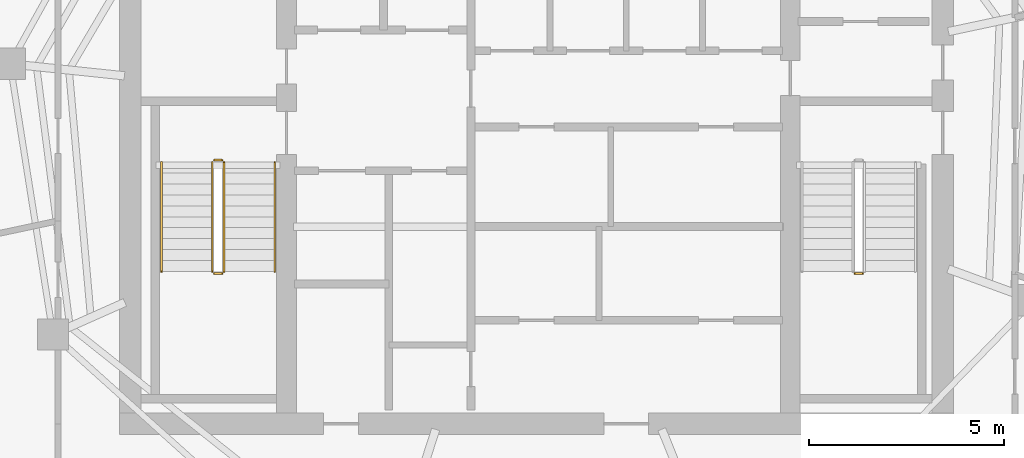
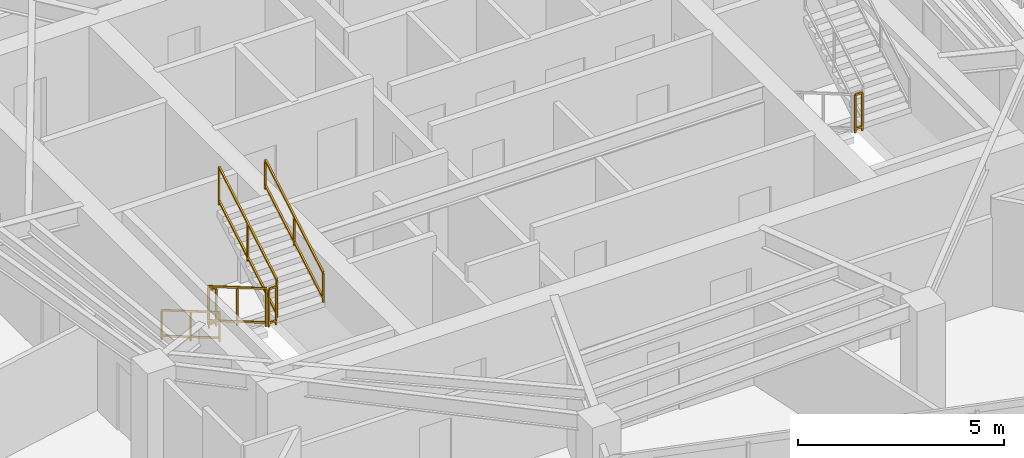
# One storey, part 17 of 19: 7 railings.
"""IFC4 building model written with IfcOpenShell, lengths in metres."""

import ifcopenshell
import ifcopenshell.guid

model = None  # the IFC model being written
_history = None  # IfcOwnerHistory: only IFC2X3 demands one
_inside = {}  # id of a spatial element -> (the spatial element, [elements in it])
_under = {}  # id of a project, library or spatial element -> (it, [spatial elements below it])
_declared = {}  # id of a project -> (the project, [libraries it declares])
_typed = {}  # id of a type object -> (the type object, [elements of that type])
_made_of = {}  # id of a material, layer set ... -> (it, [elements and type objects made of it])


def new_model(schema):
    """Start an empty IFC model of exactly this schema.

    Asked for "IFC4X3", IfcOpenShell would pick the latest addendum, in which some entities
    have other attributes; the version numbers below select the first issue.
    IFC2X3 requires an IfcOwnerHistory on every rooted entity: one is made here for all.
    """
    global model, _history
    if schema == "IFC4X3":
        model = ifcopenshell.file(schema_version=(4, 3, 0, 0))
    else:
        model = ifcopenshell.file(schema=schema)
    _inside.clear()
    _under.clear()
    _declared.clear()
    _typed.clear()
    _made_of.clear()
    _history = None
    if model.schema == "IFC2X3":
        org = make("IfcOrganization", Name="unknown")
        user = make(
            "IfcPersonAndOrganization",
            ThePerson=make("IfcPerson", FamilyName="unknown"),
            TheOrganization=org,
        )
        app = make(
            "IfcApplication",
            ApplicationDeveloper=org,
            Version="unknown",
            ApplicationFullName="unknown",
            ApplicationIdentifier="unknown",
        )
        _history = make(
            "IfcOwnerHistory",
            OwningUser=user,
            OwningApplication=app,
            ChangeAction="ADDED",
            CreationDate=0,
        )
    return model


def make(cls, **values):
    """One entity of the class cls with the attributes given. An attribute that is None is left unset."""
    return model.create_entity(
        cls, **{name: value for name, value in values.items() if value is not None}
    )


def rooted(cls, **values):
    """An entity with a GlobalId (a new one), such as an element, a storey or a relation."""
    return make(cls, GlobalId=ifcopenshell.guid.new(), OwnerHistory=_history, **values)


def si_unit(unit_type, name, prefix=None):
    """IfcSIUnit, for example si_unit("LENGTHUNIT", "METRE", prefix="MILLI")."""
    return make("IfcSIUnit", UnitType=unit_type, Prefix=prefix, Name=name)


def assignment(units):
    """IfcUnitAssignment: the units of a project."""
    return None if units is None else make("IfcUnitAssignment", Units=units)


def point(xyz):
    """IfcCartesianPoint."""
    return None if xyz is None else make("IfcCartesianPoint", Coordinates=xyz)


def direction(xyz):
    """IfcDirection."""
    return None if xyz is None else make("IfcDirection", DirectionRatios=xyz)


def frame(location, z_axis=None, x_axis=None):
    """IfcAxis2Placement3D, a coordinate frame: its origin and axes. An axis left out is left unset."""
    return make(
        "IfcAxis2Placement3D",
        Location=point(location),
        Axis=direction(z_axis),
        RefDirection=direction(x_axis),
    )


def frame_2d(location, x_axis=None):
    """IfcAxis2Placement2D, a coordinate frame in the plane: its origin and x axis."""
    return make(
        "IfcAxis2Placement2D", Location=point(location), RefDirection=direction(x_axis)
    )


def origin():
    """The frame at (0, 0, 0) with its axes left unset."""
    return frame((0.0, 0.0, 0.0))


def origin_2d():
    """The frame at (0, 0) in the plane with its x axis left unset."""
    return frame_2d((0.0, 0.0))


def place(relative_to, where):
    """IfcLocalPlacement: puts the frame where relative to a parent placement (None: the world)."""
    return make(
        "IfcLocalPlacement", PlacementRelTo=relative_to, RelativePlacement=where
    )


def context(
    kind, dimensions, precision=None, world=None, true_north=None, identifier=None
):
    """IfcGeometricRepresentationContext, for example the 3D "Model" context."""
    return make(
        "IfcGeometricRepresentationContext",
        ContextIdentifier=identifier,
        ContextType=kind,
        CoordinateSpaceDimension=dimensions,
        Precision=precision,
        WorldCoordinateSystem=world,
        TrueNorth=true_north,
    )


def subcontext(parent, identifier, kind, view, scale=None):
    """IfcGeometricRepresentationSubContext, for example "Body" below "Model"."""
    return make(
        "IfcGeometricRepresentationSubContext",
        ContextIdentifier=identifier,
        ContextType=kind,
        ParentContext=parent,
        TargetScale=scale,
        TargetView=view,
    )


def project(units=None, contexts=None):
    """IfcProject with its units and contexts."""
    return rooted(
        "IfcProject",
        Name="project",
        RepresentationContexts=contexts,
        UnitsInContext=assignment(units),
    )


def spatial(cls, under=None, at=None, **own):
    """A site, building, storey or space (cls), placed at a placement, below another one or the project."""
    s = rooted(cls, ObjectPlacement=at, **own)
    if under is not None:
        _under.setdefault(under.id(), (under, []))[1].append(s)
    return s


def profile(cls, at=None, kind="AREA", **sizes):
    """A parametric profile (cls). Its sizes go by their IFC names, for example OverallWidth=200.0."""
    return make(cls, ProfileType=kind, Position=at, **sizes)


def rectangle(**sizes):
    """IfcRectangleProfileDef."""
    return profile("IfcRectangleProfileDef", **sizes)


def extrude(swept, where, along, depth):
    """IfcExtrudedAreaSolid: the profile swept, set in the frame where, extruded along a direction by depth."""
    return make(
        "IfcExtrudedAreaSolid",
        SweptArea=swept,
        Position=where,
        ExtrudedDirection=direction(along),
        Depth=depth,
    )


def shape(context_of_items, identifier, shape_type, items):
    """IfcShapeRepresentation: the items that make up one representation, for example the "Body"."""
    return make(
        "IfcShapeRepresentation",
        ContextOfItems=context_of_items,
        RepresentationIdentifier=identifier,
        RepresentationType=shape_type,
        Items=items,
    )


def material(Name=None, Category=None):
    """IfcMaterial."""
    return make("IfcMaterial", Name=Name, Category=Category)


def made_of(thing, what):
    """Note that an element or type object is made of a material, layer set ...; save() writes the relation."""
    if what is not None:
        _made_of.setdefault(what.id(), (what, []))[1].append(thing)
    return thing


def type_object(cls, material=None, **own):
    """A type object (cls), such as IfcWallType, which elements share."""
    return made_of(rooted(cls, **own), material)


def element(
    cls,
    number,
    at=None,
    inside=None,
    cuts=None,
    type_object=None,
    material=None,
    context=None,
    identifier="Body",
    shape_type=None,
    held_by="IfcProductDefinitionShape",
    body=None,
    shapes=None,
    **own,
):
    """One element of the class cls, such as IfcWall. Its Tag is "e" and its number.

    at: its placement. inside: the storey or other place that contains it. cuts: it is an
    opening in that element (IfcRelVoidsElement). A single representation is given by context,
    identifier, shape_type and body (its items); several are given by shapes. held_by: the class
    of the entity that holds the representations. save() writes the other relations.
    """
    e = rooted(cls, Tag="e%d" % number, ObjectPlacement=at, **own)
    if body is not None:
        shapes = [shape(context, identifier, shape_type, body)]
    if shapes is not None:
        e.Representation = make(held_by, Representations=shapes)
    if inside is not None:
        _inside.setdefault(inside.id(), (inside, []))[1].append(e)
    if cuts is not None:
        rooted(
            "IfcRelVoidsElement", RelatingBuildingElement=cuts, RelatedOpeningElement=e
        )
    if type_object is not None:
        _typed.setdefault(type_object.id(), (type_object, []))[1].append(e)
    return made_of(e, material)


def aggregate(whole, parts):
    """IfcRelAggregates: a whole, such as a stair, and the parts it consists of."""
    return rooted("IfcRelAggregates", RelatingObject=whole, RelatedObjects=parts)


def save(model, path):
    """Write the relations noted so far, then the file.

    IfcRelAggregates (storeys below a building ...), IfcRelContainedInSpatialStructure (elements
    in a storey), IfcRelDefinesByType, IfcRelAssociatesMaterial and IfcRelDeclares: one each for
    every whole, place, type object, material and project.
    """
    for whole, parts in _under.values():
        aggregate(whole, parts)
    for where, things in _inside.values():
        rooted(
            "IfcRelContainedInSpatialStructure",
            RelatedElements=things,
            RelatingStructure=where,
        )
    for kind, things in _typed.values():
        rooted("IfcRelDefinesByType", RelatedObjects=things, RelatingType=kind)
    for what, things in _made_of.values():
        rooted("IfcRelAssociatesMaterial", RelatedObjects=things, RelatingMaterial=what)
    for by, libraries in _declared.values():
        rooted("IfcRelDeclares", RelatingContext=by, RelatedDefinitions=libraries)
    model.write(path)


model = new_model("IFC4")

# Units and contexts
model_context = context("Model", 3, precision=1e-05, world=origin(), true_north=direction((0.0, 1.0)))
body_context = subcontext(model_context, "Body", "Model", "MODEL_VIEW")
ifc_project = project(units=[si_unit("LENGTHUNIT", "METRE"), si_unit("AREAUNIT", "SQUARE_METRE"), si_unit("VOLUMEUNIT", "CUBIC_METRE"), si_unit("PLANEANGLEUNIT", "RADIAN"), si_unit("MASSUNIT", "GRAM", prefix="KILO")], contexts=[model_context])

# Site, building, storey
site_placement = place(None, origin())
site = spatial("IfcSite", under=ifc_project, at=site_placement, CompositionType="ELEMENT")
building_placement = place(site_placement, origin())
building = spatial("IfcBuilding", under=site, at=building_placement, Name="Qarnah Convention Tower", CompositionType="ELEMENT")
storey_placement = place(building_placement, frame((0.0, 0.0, 231.89990234375)))
storey = spatial("IfcBuildingStorey", under=building, at=storey_placement, Name="L62", CompositionType="ELEMENT", Elevation=231.89990234375)

# Railings
ifc_material = material(Name="Structural steel S355JR", Category="steel")
railing_type_1 = type_object("IfcRailingType", Name="RL-STAIR-GUARD-1150", PredefinedType="GUARDRAIL", material=ifc_material)
railing_1_placement = place(storey_placement, frame((28.89990234375, 25.300048828125, 0.163818359375)))
element("IfcRailing", 1, at=railing_1_placement, inside=storey, type_object=railing_type_1, Name="L62 ST-1 stair guard 1", PredefinedType="GUARDRAIL", context=body_context, shape_type="SweptSolid", body=[
    extrude(rectangle(XDim=0.048095703125, YDim=0.048095703125, at=origin_2d()), frame((0.0, 0.0, 1.1259765625), z_axis=(0.0, -0.863393664356, 0.504530851732), x_axis=(1.0, 0.0, 0.0)), (0.0, 0.0, 1.0), 3.2431640625),
    extrude(rectangle(XDim=0.048095703125, YDim=0.048095703125, at=origin_2d()), frame((0.0, 0.0, 0.1201171875), z_axis=(0.0, -0.863393664356, 0.504530851732), x_axis=(1.0, 0.0, 0.0)), (0.0, 0.0, 1.0), 3.2431640625),
    extrude(rectangle(XDim=0.0419921875, YDim=0.0419921875, at=origin_2d()), origin(), (0.0, 0.0, 1.0), 1.101806640625),
    extrude(rectangle(XDim=0.0419921875, YDim=0.0419921875, at=origin_2d()), frame((0.0, -1.39990234375, 0.818115234375)), (0.0, 0.0, 1.0), 1.101806640625),
    extrude(rectangle(XDim=0.0419921875, YDim=0.0419921875, at=origin_2d()), frame((0.0, -2.800048828125, 1.63623046875)), (0.0, 0.0, 1.0), 1.101806640625),
])
railing_2_placement = place(storey_placement, frame((28.949951171875, 22.449951171875, 1.800048828125)))
element("IfcRailing", 2, at=railing_2_placement, inside=storey, type_object=railing_type_1, Name="L62 ST-1 stair guard 2", PredefinedType="GUARDRAIL", context=body_context, shape_type="SweptSolid", body=[
    extrude(rectangle(XDim=0.048095703125, YDim=0.048095703125, at=origin_2d()), frame((0.0, 0.0, 1.1259765625), z_axis=(1.0, 0.0, 0.0), x_axis=(0.0, 1.0, 0.0)), (0.0, 0.0, 1.0), 0.199951171875),
    extrude(rectangle(XDim=0.048095703125, YDim=0.048095703125, at=origin_2d()), frame((0.0, 0.0, 0.1201171875), z_axis=(1.0, 0.0, 0.0), x_axis=(0.0, 1.0, 0.0)), (0.0, 0.0, 1.0), 0.199951171875),
    extrude(rectangle(XDim=0.0419921875, YDim=0.0419921875, at=origin_2d()), origin(), (0.0, 0.0, 1.0), 1.101806640625),
    extrude(rectangle(XDim=0.0419921875, YDim=0.0419921875, at=origin_2d()), frame((0.199951171875, 0.0, 0.0)), (0.0, 0.0, 1.0), 1.101806640625),
])
railing_3_placement = place(storey_placement, frame((29.199951171875, 22.5, 1.963623046875)))
element("IfcRailing", 3, at=railing_3_placement, inside=storey, type_object=railing_type_1, Name="L62 ST-1 stair guard 3", PredefinedType="GUARDRAIL", context=body_context, shape_type="SweptSolid", body=[
    extrude(rectangle(XDim=0.048095703125, YDim=0.048095703125, at=origin_2d()), frame((0.0, 0.0, 1.1259765625), z_axis=(0.0, 0.863360870873, 0.504586966384), x_axis=(-1.0, 0.0, 0.0)), (0.0, 0.0, 1.0), 3.2431640625),
    extrude(rectangle(XDim=0.048095703125, YDim=0.048095703125, at=origin_2d()), frame((0.0, 0.0, 0.1201171875), z_axis=(0.0, 0.863360870873, 0.504586966384), x_axis=(-1.0, 0.0, 0.0)), (0.0, 0.0, 1.0), 3.2431640625),
    extrude(rectangle(XDim=0.0419921875, YDim=0.0419921875, at=origin_2d()), origin(), (0.0, 0.0, 1.0), 1.101806640625),
    extrude(rectangle(XDim=0.0419921875, YDim=0.0419921875, at=origin_2d()), frame((0.0, 1.39990234375, 0.818359375)), (0.0, 0.0, 1.0), 1.101806640625),
    extrude(rectangle(XDim=0.0419921875, YDim=0.0419921875, at=origin_2d()), frame((0.0, 2.800048828125, 1.636474609375)), (0.0, 0.0, 1.0), 1.101806640625),
])
for number, where, name in (
    (4, (28.949951171875, 25.35009765625, 0.0), "L62 ST-1 stair guard 4"),
    (5, (45.35009765625, 22.449951171875, 1.800048828125), "L62 ST-2 stair guard 2"),
):
    element("IfcRailing", number, at=place(storey_placement, frame(where)), inside=storey, type_object=railing_type_1, Name=name, PredefinedType="GUARDRAIL", context=body_context, shape_type="SweptSolid", body=[
        extrude(rectangle(XDim=0.048095703125, YDim=0.048095703125, at=origin_2d()), frame((0.0, 0.0, 1.1259765625), z_axis=(1.0, 0.0, 0.0), x_axis=(0.0, 1.0, 0.0)), (0.0, 0.0, 1.0), 0.199951171875),
        extrude(rectangle(XDim=0.048095703125, YDim=0.048095703125, at=origin_2d()), frame((0.0, 0.0, 0.1201171875), z_axis=(1.0, 0.0, 0.0), x_axis=(0.0, 1.0, 0.0)), (0.0, 0.0, 1.0), 0.199951171875),
        extrude(rectangle(XDim=0.0419921875, YDim=0.0419921875, at=origin_2d()), origin(), (0.0, 0.0, 1.0), 1.101806640625),
        extrude(rectangle(XDim=0.0419921875, YDim=0.0419921875, at=origin_2d()), frame((0.199951171875, 0.0, 0.0)), (0.0, 0.0, 1.0), 1.101806640625),
    ])
railing_type_2 = type_object("IfcRailingType", Name="RL-STAIR-HAND-900", PredefinedType="HANDRAIL", material=ifc_material)
railing_4_placement = place(storey_placement, frame((27.60009765625, 25.300048828125, 0.163818359375)))
element("IfcRailing", 6, at=railing_4_placement, inside=storey, type_object=railing_type_2, Name="L62 ST-1 stair handrail 1", PredefinedType="HANDRAIL", context=body_context, shape_type="SweptSolid", body=[
    extrude(rectangle(XDim=0.048095703125, YDim=0.048095703125, at=origin_2d()), frame((0.0, 0.0, 0.8759765625), z_axis=(0.0, -0.863393664356, 0.504530851732), x_axis=(1.0, 0.0, 0.0)), (0.0, 0.0, 1.0), 3.2431640625),
    extrude(rectangle(XDim=0.048095703125, YDim=0.048095703125, at=origin_2d()), frame((0.0, 0.0, 0.1201171875), z_axis=(0.0, -0.863393664356, 0.504530851732), x_axis=(1.0, 0.0, 0.0)), (0.0, 0.0, 1.0), 3.2431640625),
    extrude(rectangle(XDim=0.0419921875, YDim=0.0419921875, at=origin_2d()), origin(), (0.0, 0.0, 1.0), 0.851806640625),
    extrude(rectangle(XDim=0.0419921875, YDim=0.0419921875, at=origin_2d()), frame((0.0, -1.39990234375, 0.818115234375)), (0.0, 0.0, 1.0), 0.851806640625),
    extrude(rectangle(XDim=0.0419921875, YDim=0.0419921875, at=origin_2d()), frame((0.0, -2.800048828125, 1.63623046875)), (0.0, 0.0, 1.0), 0.851806640625),
])
railing_5_placement = place(storey_placement, frame((30.5, 22.5, 1.963623046875)))
element("IfcRailing", 7, at=railing_5_placement, inside=storey, type_object=railing_type_2, Name="L62 ST-1 stair handrail 2", PredefinedType="HANDRAIL", context=body_context, shape_type="SweptSolid", body=[
    extrude(rectangle(XDim=0.048095703125, YDim=0.048095703125, at=origin_2d()), frame((0.0, 0.0, 0.8759765625), z_axis=(0.0, 0.863360870873, 0.504586966384), x_axis=(-1.0, 0.0, 0.0)), (0.0, 0.0, 1.0), 3.2431640625),
    extrude(rectangle(XDim=0.048095703125, YDim=0.048095703125, at=origin_2d()), frame((0.0, 0.0, 0.1201171875), z_axis=(0.0, 0.863360870873, 0.504586966384), x_axis=(-1.0, 0.0, 0.0)), (0.0, 0.0, 1.0), 3.2431640625),
    extrude(rectangle(XDim=0.0419921875, YDim=0.0419921875, at=origin_2d()), origin(), (0.0, 0.0, 1.0), 0.851806640625),
    extrude(rectangle(XDim=0.0419921875, YDim=0.0419921875, at=origin_2d()), frame((0.0, 1.39990234375, 0.818359375)), (0.0, 0.0, 1.0), 0.851806640625),
    extrude(rectangle(XDim=0.0419921875, YDim=0.0419921875, at=origin_2d()), frame((0.0, 2.800048828125, 1.636474609375)), (0.0, 0.0, 1.0), 0.851806640625),
])

save(model, "model.ifc")
